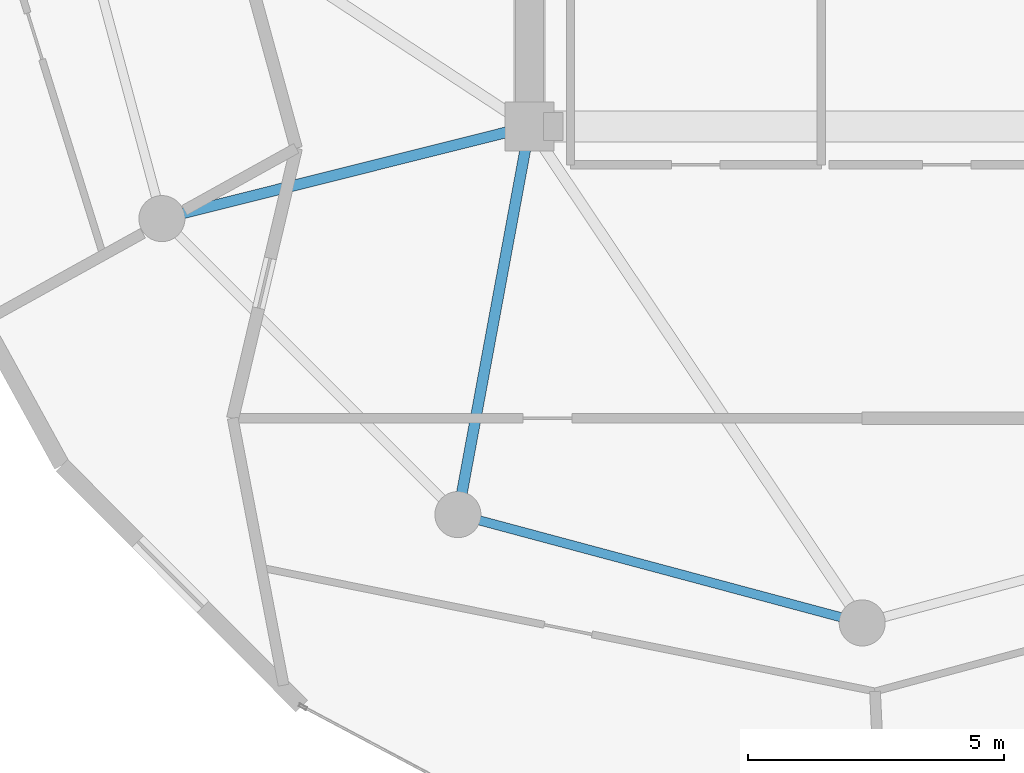
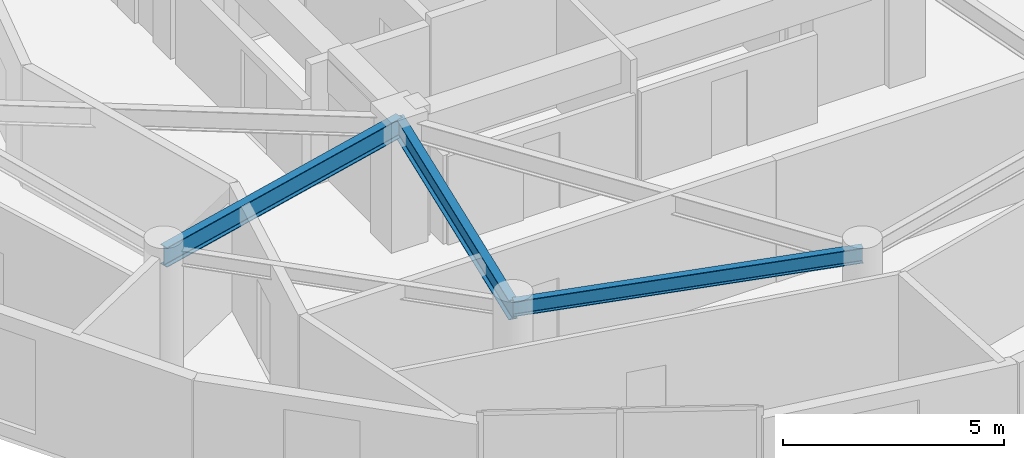
# One storey, part 4 of 21: 3 beams.
"""IFC4 building model written with IfcOpenShell, lengths in metres."""

from ifc_helpers import new_model, si_unit, direction, frame, origin, origin_2d, place, context, subcontext, project, spatial, i_section, extrude, material, material_profile, profile_set, type_object, element, save


model = new_model("IFC4")

# Units and contexts
model_context = context("Model", 3, precision=1e-05, world=origin(), true_north=direction((0.0, 1.0)))
body_context = subcontext(model_context, "Body", "Model", "MODEL_VIEW")
ifc_project = project(units=[si_unit("LENGTHUNIT", "METRE"), si_unit("AREAUNIT", "SQUARE_METRE"), si_unit("VOLUMEUNIT", "CUBIC_METRE"), si_unit("PLANEANGLEUNIT", "RADIAN"), si_unit("MASSUNIT", "GRAM", prefix="KILO")], contexts=[model_context])

# Site, building, storey
site_placement = place(None, origin())
site = spatial("IfcSite", under=ifc_project, at=site_placement, CompositionType="ELEMENT")
building_placement = place(site_placement, origin())
building = spatial("IfcBuilding", under=site, at=building_placement, Name="Solvirekh Grand Hotel", CompositionType="ELEMENT")
storey_placement = place(building_placement, frame((0.0, 0.0, 216.39990234375)))
storey = spatial("IfcBuildingStorey", under=building, at=storey_placement, Name="L56", CompositionType="ELEMENT", Elevation=216.39990234375)

# Beams
ifc_material = material(Name="Steel S355", Category="steel")
ifc_material_profile_1 = material_profile(ifc_material, i_section(OverallWidth=0.2119140625, OverallDepth=0.5439453125, WebThickness=0.011962890625, FlangeThickness=0.01904296875, FilletRadius=0.013916015625, at=origin_2d()), Name="W530X123")
ifc_profile_set_1 = profile_set([ifc_material_profile_1], Name="Steel S355")
beam_type_1 = type_object("IfcBeamType", Name="Beam_Radial_W530H", PredefinedType="BEAM", material=ifc_profile_set_1)
beam_1_placement = place(storey_placement, frame((-6.5, -6.10009765625, 3.088134765625), z_axis=(-0.970014367692, -0.243047580675, 0.0), x_axis=(0.243047580675, -0.970014367692, 0.0)))
element("IfcBeam", 1, at=beam_1_placement, inside=storey, type_object=beam_type_1, Name="L56 radial floor beam R08", PredefinedType="BEAM", context=body_context, shape_type="SweptSolid", body=[
    extrude(i_section(OverallWidth=0.2119140625, OverallDepth=0.5439453125, WebThickness=0.011962890625, FlangeThickness=0.01904296875, FilletRadius=0.013916015625, at=origin_2d()), origin(), (0.0, 0.0, 1.0), 7.4052734375),
])
beam_2_placement = place(storey_placement, frame((-6.5, -6.10009765625, 3.088134765625), z_axis=(-0.181542769111, -0.983383049978, 0.0), x_axis=(0.983383049978, -0.181542769111, 0.0)))
element("IfcBeam", 2, at=beam_2_placement, inside=storey, type_object=beam_type_1, Name="L56 radial floor beam R09", PredefinedType="BEAM", context=body_context, shape_type="SweptSolid", body=[
    extrude(i_section(OverallWidth=0.2119140625, OverallDepth=0.5439453125, WebThickness=0.011962890625, FlangeThickness=0.01904296875, FilletRadius=0.013916015625, at=origin_2d()), origin(), (0.0, 0.0, 1.0), 7.711181640625),
])
ifc_material_profile_2 = material_profile(ifc_material, i_section(OverallWidth=0.180908203125, OverallDepth=0.4169921875, WebThickness=0.010009765625, FlangeThickness=0.01611328125, FilletRadius=0.011962890625, at=origin_2d()), Name="W410X85")
ifc_profile_set_2 = profile_set([ifc_material_profile_2], Name="Steel S355")
beam_type_2 = type_object("IfcBeamType", Name="Spandrel_Ring_W410", PredefinedType="SPANDREL", material=ifc_profile_set_2)
beam_3_placement = place(storey_placement, frame((-7.89990234375, -13.68310546875, 3.152099609375), z_axis=(0.965920601923, -0.258838541915, 0.0), x_axis=(0.258838541915, 0.965920601923, 0.0)))
element("IfcBeam", 3, at=beam_3_placement, inside=storey, type_object=beam_type_2, Name="L56 perimeter spandrel beam 9", PredefinedType="SPANDREL", context=body_context, shape_type="SweptSolid", body=[
    extrude(i_section(OverallWidth=0.180908203125, OverallDepth=0.4169921875, WebThickness=0.010009765625, FlangeThickness=0.01611328125, FilletRadius=0.011962890625, at=origin_2d()), origin(), (0.0, 0.0, 1.0), 8.1787109375),
])

save(model, "model.ifc")
